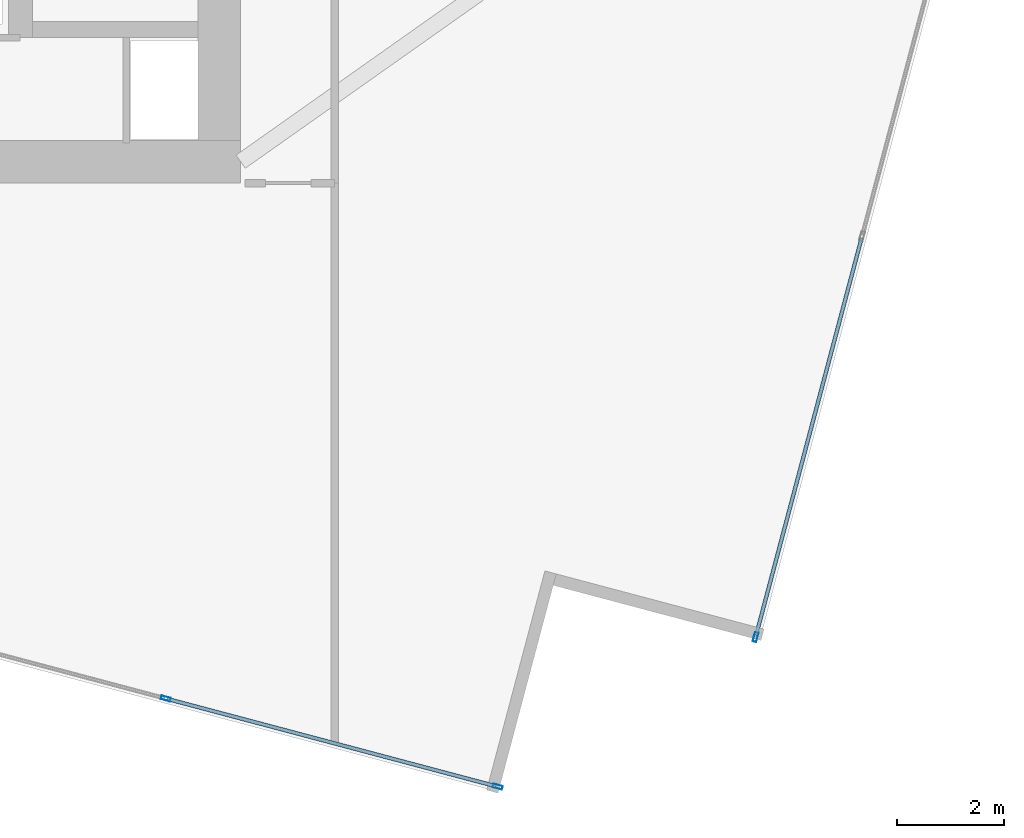
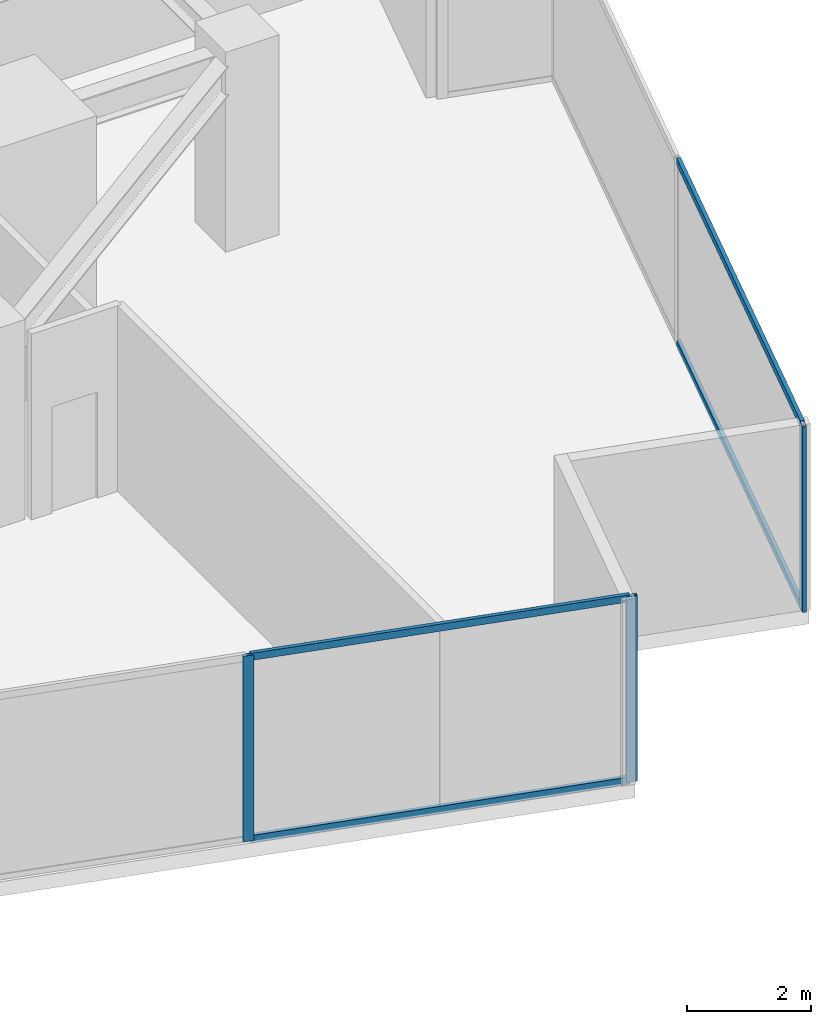
# One storey, part 10 of 27: 7 members, 2 elements without a shape of their own.
"""IFC4 building model written with IfcOpenShell, lengths in metres."""

from ifc_helpers import new_model, si_unit, direction, frame, origin, origin_2d, place, context, subcontext, project, spatial, hollow_rectangle, extrude, source, transform, mapped, material, material_profile, profile_set, type_object, type_shapes, element, aggregate, save


model = new_model("IFC4")

# Units and contexts
model_context = context("Model", 3, precision=1e-05, world=origin(), true_north=direction((0.0, 1.0)))
body_context = subcontext(model_context, "Body", "Model", "MODEL_VIEW")
ifc_project = project(units=[si_unit("LENGTHUNIT", "METRE"), si_unit("AREAUNIT", "SQUARE_METRE"), si_unit("VOLUMEUNIT", "CUBIC_METRE"), si_unit("PLANEANGLEUNIT", "RADIAN"), si_unit("MASSUNIT", "GRAM", prefix="KILO")], contexts=[model_context])

# Site, building, storey
site_placement = place(None, origin())
site = spatial("IfcSite", under=ifc_project, at=site_placement, CompositionType="ELEMENT")
building_placement = place(site_placement, origin())
building = spatial("IfcBuilding", under=site, at=building_placement, Name="Krantzveldt Concourse Tower", CompositionType="ELEMENT")
storey_placement = place(building_placement, frame((0.0, 0.0, 105.85009765625)))
storey = spatial("IfcBuildingStorey", under=building, at=storey_placement, Name="L25", CompositionType="ELEMENT", Elevation=105.85009765625)

# Curtain wall, members
ifc_material = material(Name="Anodised aluminium 6063-T6", Category="aluminium")
curtain_wall_type = type_object("IfcCurtainWallType", Name="CW2", PredefinedType="USERDEFINED", material=ifc_material)
curtain_wall_1_placement = place(storey_placement, origin())
curtain_wall_1 = element("IfcCurtainWall", 1, at=curtain_wall_1_placement, inside=storey, type_object=curtain_wall_type, Name="CW-L25-F04", ObjectType="UNITISED CURTAIN WALL", PredefinedType="USERDEFINED")
ifc_material_profile_1 = material_profile(ifc_material, hollow_rectangle(XDim=0.070068359375, YDim=0.179931640625, WallThickness=0.0048828125, at=origin_2d()), Name="Anodised aluminium 6063-T6", Category="aluminium")
ifc_profile_set_1 = profile_set([ifc_material_profile_1], Name="Anodised aluminium 6063-T6 - ALU-MULL 180x70x5")
member_type_1 = type_object("IfcMemberType", Name="CW-MUL-180", PredefinedType="MULLION", material=ifc_profile_set_1)
shared_shape_1 = source(origin(), body_context, "Body", "SweptSolid", [
    extrude(hollow_rectangle(XDim=0.070068359375, YDim=0.179931640625, WallThickness=0.0048828125, at=origin_2d()), origin(), (0.0, 0.0, 1.0), 3.669921875),
])
type_shapes(member_type_1, [shared_shape_1])
member_1_placement = place(storey_placement, frame((42.515869140625, 0.85107421875, 0.0), z_axis=(0.0, 0.0, 1.0), x_axis=(0.256711093648, 0.966488186373, 0.0)))
member_1 = element("IfcMember", 2, at=member_1_placement, type_object=member_type_1, Name="CW-Z12 mullion 6", PredefinedType="MULLION", context=body_context, shape_type="MappedRepresentation", body=[
    mapped(shared_shape_1, transform((0.0, 0.0, 0.0), x_axis=(1.0, 0.0, 0.0), y_axis=(0.0, 1.0, 0.0), z_axis=(0.0, 0.0, 1.0), scale=1.0)),
])
member_2_placement = place(storey_placement, frame((48.732177734375, -0.800048828125, 0.0), z_axis=(0.0, 0.0, 1.0), x_axis=(0.256711093648, 0.966488186373, 0.0)))
member_2 = element("IfcMember", 3, at=member_2_placement, type_object=member_type_1, Name="CW-Z12 mullion 7", PredefinedType="MULLION", context=body_context, shape_type="MappedRepresentation", body=[
    mapped(shared_shape_1, transform((0.0, 0.0, 0.0), x_axis=(1.0, 0.0, 0.0), y_axis=(0.0, 1.0, 0.0), z_axis=(0.0, 0.0, 1.0), scale=1.0)),
])

# Curtain wall, member
curtain_wall_2_placement = place(storey_placement, origin())
curtain_wall_2 = element("IfcCurtainWall", 4, at=curtain_wall_2_placement, inside=storey, type_object=curtain_wall_type, Name="CW-L25-F07", ObjectType="UNITISED CURTAIN WALL", PredefinedType="USERDEFINED")
member_3_placement = place(storey_placement, frame((53.5576171875, 2.0, 0.0), z_axis=(0.0, 0.0, 1.0), x_axis=(-0.966488210944, 0.256711001141, 0.0)))
member_3 = element("IfcMember", 5, at=member_3_placement, type_object=member_type_1, Name="CW-Z12 mullion 1", PredefinedType="MULLION", context=body_context, shape_type="MappedRepresentation", body=[
    mapped(shared_shape_1, transform((0.0, 0.0, 0.0), x_axis=(1.0, 0.0, 0.0), y_axis=(0.0, 1.0, 0.0), z_axis=(0.0, 0.0, 1.0), scale=1.0)),
])

# Member
ifc_material_profile_2 = material_profile(ifc_material, hollow_rectangle(XDim=0.070068359375, YDim=0.139892578125, WallThickness=0.0048828125, at=origin_2d()), Name="Anodised aluminium 6063-T6", Category="aluminium")
ifc_profile_set_2 = profile_set([ifc_material_profile_2], Name="Anodised aluminium 6063-T6 - ALU-TRAN 140x70x5")
member_type_2 = type_object("IfcMemberType", Name="CW-TRN-150", PredefinedType="USERDEFINED", material=ifc_profile_set_2)
shared_shape_2 = source(origin(), body_context, "Body", "SweptSolid", [
    extrude(hollow_rectangle(XDim=0.070068359375, YDim=0.139892578125, WallThickness=0.0048828125, at=origin_2d()), origin(), (0.0, 0.0, 1.0), 6.361572265625),
])
member_4_placement = place(storey_placement, frame((42.5498046875, 0.842041015625, 0.034912109375), z_axis=(0.966489887801, -0.256704687877, 0.0), x_axis=(0.256704687877, 0.966489887801, 0.0)))
member_4 = element("IfcMember", 6, at=member_4_placement, type_object=member_type_2, Name="CW-Z12 transom 6.1", ObjectType="TRANSOM", PredefinedType="USERDEFINED", context=body_context, shape_type="MappedRepresentation", body=[
    mapped(shared_shape_2, transform((0.0, 0.0, 0.0), x_axis=(1.0, 0.0, 0.0), y_axis=(0.0, 1.0, 0.0), z_axis=(0.0, 0.0, 1.0), scale=1.0)),
])

member_5_placement = place(storey_placement, frame((42.5498046875, 0.842041015625, 3.635009765625), z_axis=(0.966489887801, -0.256704687877, 0.0), x_axis=(0.256704687877, 0.966489887801, 0.0)))
member_5 = element("IfcMember", 7, at=member_5_placement, type_object=member_type_2, Name="CW-Z12 transom 6.2", ObjectType="TRANSOM", PredefinedType="USERDEFINED", context=body_context, shape_type="MappedRepresentation", body=[
    mapped(shared_shape_2, transform((0.0, 0.0, 0.0), x_axis=(1.0, 0.0, 0.0), y_axis=(0.0, 1.0, 0.0), z_axis=(0.0, 0.0, 1.0), scale=1.0)),
])

aggregate(curtain_wall_1, [member_1, member_2, member_4, member_5])

shared_shape_3 = source(origin(), body_context, "Body", "SweptSolid", [
    extrude(hollow_rectangle(XDim=0.070068359375, YDim=0.139892578125, WallThickness=0.0048828125, at=origin_2d()), origin(), (0.0, 0.0, 1.0), 7.69482421875),
])
type_shapes(member_type_2, [shared_shape_2, shared_shape_3])
member_6_placement = place(storey_placement, frame((53.566650390625, 2.033935546875, 0.034912109375), z_axis=(0.256708719645, 0.966488816934, 0.0), x_axis=(-0.966488816934, 0.256708719645, 0.0)))
member_6 = element("IfcMember", 8, at=member_6_placement, type_object=member_type_2, Name="CW-Z12 transom 1.1", ObjectType="TRANSOM", PredefinedType="USERDEFINED", context=body_context, shape_type="MappedRepresentation", body=[
    mapped(shared_shape_3, transform((0.0, 0.0, 0.0), x_axis=(1.0, 0.0, 0.0), y_axis=(0.0, 1.0, 0.0), z_axis=(0.0, 0.0, 1.0), scale=1.0)),
])

member_7_placement = place(storey_placement, frame((53.566650390625, 2.033935546875, 3.635009765625), z_axis=(0.256708719645, 0.966488816934, 0.0), x_axis=(-0.966488816934, 0.256708719645, 0.0)))
member_7 = element("IfcMember", 9, at=member_7_placement, type_object=member_type_2, Name="CW-Z12 transom 1.2", ObjectType="TRANSOM", PredefinedType="USERDEFINED", context=body_context, shape_type="MappedRepresentation", body=[
    mapped(shared_shape_3, transform((0.0, 0.0, 0.0), x_axis=(1.0, 0.0, 0.0), y_axis=(0.0, 1.0, 0.0), z_axis=(0.0, 0.0, 1.0), scale=1.0)),
])

aggregate(curtain_wall_2, [member_3, member_6, member_7])

save(model, "model.ifc")
